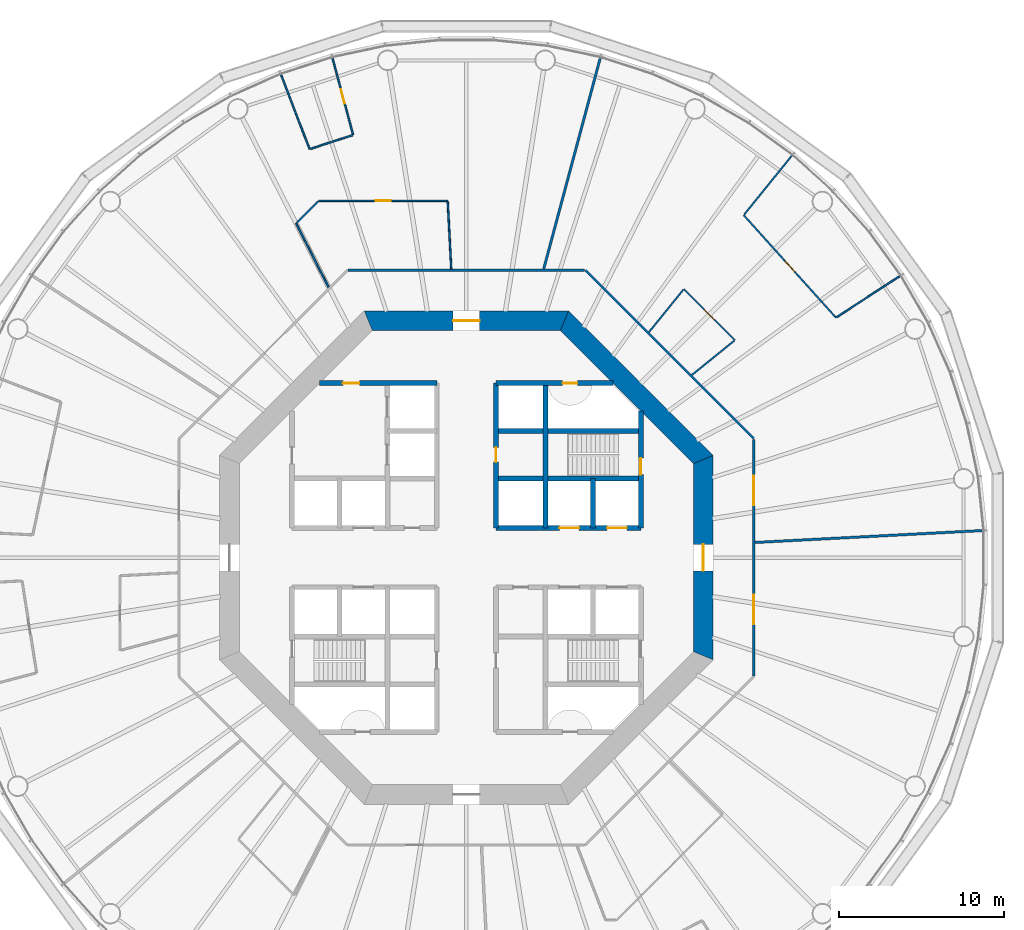
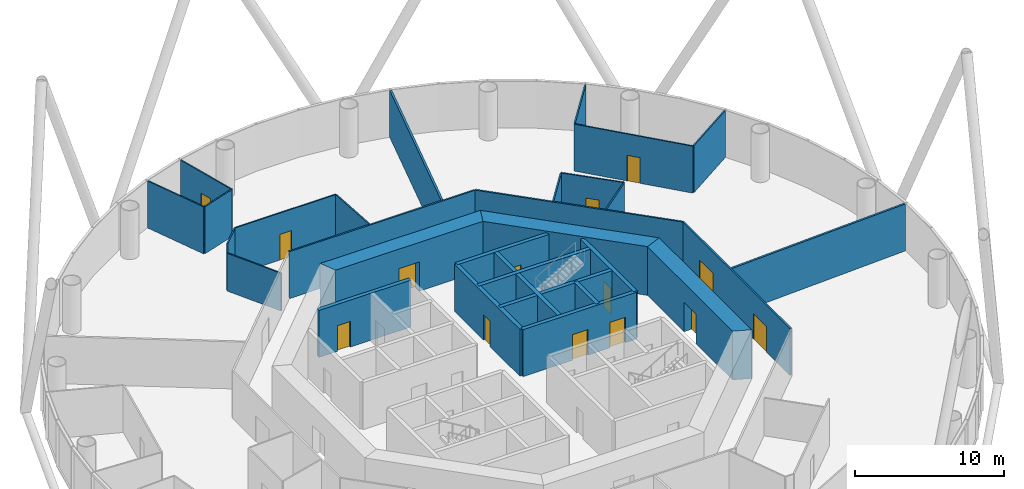
# One storey, part 5 of 13: 30 walls, 14 doors, 14 openings.
"""IFC4 building model written with IfcOpenShell, lengths in metres."""

import ifcopenshell
import ifcopenshell.guid

model = None  # the IFC model being written
_history = None  # IfcOwnerHistory: only IFC2X3 demands one
_inside = {}  # id of a spatial element -> (the spatial element, [elements in it])
_under = {}  # id of a project, library or spatial element -> (it, [spatial elements below it])
_declared = {}  # id of a project -> (the project, [libraries it declares])
_typed = {}  # id of a type object -> (the type object, [elements of that type])
_made_of = {}  # id of a material, layer set ... -> (it, [elements and type objects made of it])


def new_model(schema):
    """Start an empty IFC model of exactly this schema.

    Asked for "IFC4X3", IfcOpenShell would pick the latest addendum, in which some entities
    have other attributes; the version numbers below select the first issue.
    IFC2X3 requires an IfcOwnerHistory on every rooted entity: one is made here for all.
    """
    global model, _history
    if schema == "IFC4X3":
        model = ifcopenshell.file(schema_version=(4, 3, 0, 0))
    else:
        model = ifcopenshell.file(schema=schema)
    _inside.clear()
    _under.clear()
    _declared.clear()
    _typed.clear()
    _made_of.clear()
    _history = None
    if model.schema == "IFC2X3":
        org = make("IfcOrganization", Name="unknown")
        user = make(
            "IfcPersonAndOrganization",
            ThePerson=make("IfcPerson", FamilyName="unknown"),
            TheOrganization=org,
        )
        app = make(
            "IfcApplication",
            ApplicationDeveloper=org,
            Version="unknown",
            ApplicationFullName="unknown",
            ApplicationIdentifier="unknown",
        )
        _history = make(
            "IfcOwnerHistory",
            OwningUser=user,
            OwningApplication=app,
            ChangeAction="ADDED",
            CreationDate=0,
        )
    return model


def make(cls, **values):
    """One entity of the class cls with the attributes given. An attribute that is None is left unset."""
    return model.create_entity(
        cls, **{name: value for name, value in values.items() if value is not None}
    )


def rooted(cls, **values):
    """An entity with a GlobalId (a new one), such as an element, a storey or a relation."""
    return make(cls, GlobalId=ifcopenshell.guid.new(), OwnerHistory=_history, **values)


def si_unit(unit_type, name, prefix=None):
    """IfcSIUnit, for example si_unit("LENGTHUNIT", "METRE", prefix="MILLI")."""
    return make("IfcSIUnit", UnitType=unit_type, Prefix=prefix, Name=name)


def assignment(units):
    """IfcUnitAssignment: the units of a project."""
    return None if units is None else make("IfcUnitAssignment", Units=units)


def point(xyz):
    """IfcCartesianPoint."""
    return None if xyz is None else make("IfcCartesianPoint", Coordinates=xyz)


def direction(xyz):
    """IfcDirection."""
    return None if xyz is None else make("IfcDirection", DirectionRatios=xyz)


def frame(location, z_axis=None, x_axis=None):
    """IfcAxis2Placement3D, a coordinate frame: its origin and axes. An axis left out is left unset."""
    return make(
        "IfcAxis2Placement3D",
        Location=point(location),
        Axis=direction(z_axis),
        RefDirection=direction(x_axis),
    )


def frame_2d(location, x_axis=None):
    """IfcAxis2Placement2D, a coordinate frame in the plane: its origin and x axis."""
    return make(
        "IfcAxis2Placement2D", Location=point(location), RefDirection=direction(x_axis)
    )


def origin():
    """The frame at (0, 0, 0) with its axes left unset."""
    return frame((0.0, 0.0, 0.0))


def place(relative_to, where):
    """IfcLocalPlacement: puts the frame where relative to a parent placement (None: the world)."""
    return make(
        "IfcLocalPlacement", PlacementRelTo=relative_to, RelativePlacement=where
    )


def context(
    kind, dimensions, precision=None, world=None, true_north=None, identifier=None
):
    """IfcGeometricRepresentationContext, for example the 3D "Model" context."""
    return make(
        "IfcGeometricRepresentationContext",
        ContextIdentifier=identifier,
        ContextType=kind,
        CoordinateSpaceDimension=dimensions,
        Precision=precision,
        WorldCoordinateSystem=world,
        TrueNorth=true_north,
    )


def subcontext(parent, identifier, kind, view, scale=None):
    """IfcGeometricRepresentationSubContext, for example "Body" below "Model"."""
    return make(
        "IfcGeometricRepresentationSubContext",
        ContextIdentifier=identifier,
        ContextType=kind,
        ParentContext=parent,
        TargetScale=scale,
        TargetView=view,
    )


def project(units=None, contexts=None):
    """IfcProject with its units and contexts."""
    return rooted(
        "IfcProject",
        Name="project",
        RepresentationContexts=contexts,
        UnitsInContext=assignment(units),
    )


def spatial(cls, under=None, at=None, **own):
    """A site, building, storey or space (cls), placed at a placement, below another one or the project."""
    s = rooted(cls, ObjectPlacement=at, **own)
    if under is not None:
        _under.setdefault(under.id(), (under, []))[1].append(s)
    return s


def polyline(points):
    """IfcPolyline through the points."""
    return make("IfcPolyline", Points=[point(p) for p in points])


def profile(cls, at=None, kind="AREA", **sizes):
    """A parametric profile (cls). Its sizes go by their IFC names, for example OverallWidth=200.0."""
    return make(cls, ProfileType=kind, Position=at, **sizes)


def rectangle(**sizes):
    """IfcRectangleProfileDef."""
    return profile("IfcRectangleProfileDef", **sizes)


def outline(outer, holes=None, kind="AREA"):
    """IfcArbitraryClosedProfileDef: a profile drawn as a closed curve; with holes, ...WithVoids."""
    if holes is None:
        return make("IfcArbitraryClosedProfileDef", ProfileType=kind, OuterCurve=outer)
    return make(
        "IfcArbitraryProfileDefWithVoids",
        ProfileType=kind,
        OuterCurve=outer,
        InnerCurves=holes,
    )


def extrude(swept, where, along, depth):
    """IfcExtrudedAreaSolid: the profile swept, set in the frame where, extruded along a direction by depth."""
    return make(
        "IfcExtrudedAreaSolid",
        SweptArea=swept,
        Position=where,
        ExtrudedDirection=direction(along),
        Depth=depth,
    )


def shape(context_of_items, identifier, shape_type, items):
    """IfcShapeRepresentation: the items that make up one representation, for example the "Body"."""
    return make(
        "IfcShapeRepresentation",
        ContextOfItems=context_of_items,
        RepresentationIdentifier=identifier,
        RepresentationType=shape_type,
        Items=items,
    )


def material(Name=None, Category=None):
    """IfcMaterial."""
    return make("IfcMaterial", Name=Name, Category=Category)


def layer(
    of_material, thickness, ventilated=None, Name=None, Category=None, Priority=None
):
    """IfcMaterialLayer: one layer of a wall or slab, of a material (None: an air gap)."""
    return make(
        "IfcMaterialLayer",
        Material=of_material,
        LayerThickness=thickness,
        IsVentilated=ventilated,
        Name=Name,
        Category=Category,
        Priority=Priority,
    )


def layer_set(layers, Name=None):
    """IfcMaterialLayerSet."""
    return make("IfcMaterialLayerSet", MaterialLayers=layers, LayerSetName=Name)


def made_of(thing, what):
    """Note that an element or type object is made of a material, layer set ...; save() writes the relation."""
    if what is not None:
        _made_of.setdefault(what.id(), (what, []))[1].append(thing)
    return thing


def type_object(cls, material=None, **own):
    """A type object (cls), such as IfcWallType, which elements share."""
    return made_of(rooted(cls, **own), material)


def element(
    cls,
    number,
    at=None,
    inside=None,
    cuts=None,
    type_object=None,
    material=None,
    context=None,
    identifier="Body",
    shape_type=None,
    held_by="IfcProductDefinitionShape",
    body=None,
    shapes=None,
    **own,
):
    """One element of the class cls, such as IfcWall. Its Tag is "e" and its number.

    at: its placement. inside: the storey or other place that contains it. cuts: it is an
    opening in that element (IfcRelVoidsElement). A single representation is given by context,
    identifier, shape_type and body (its items); several are given by shapes. held_by: the class
    of the entity that holds the representations. save() writes the other relations.
    """
    e = rooted(cls, Tag="e%d" % number, ObjectPlacement=at, **own)
    if body is not None:
        shapes = [shape(context, identifier, shape_type, body)]
    if shapes is not None:
        e.Representation = make(held_by, Representations=shapes)
    if inside is not None:
        _inside.setdefault(inside.id(), (inside, []))[1].append(e)
    if cuts is not None:
        rooted(
            "IfcRelVoidsElement", RelatingBuildingElement=cuts, RelatedOpeningElement=e
        )
    if type_object is not None:
        _typed.setdefault(type_object.id(), (type_object, []))[1].append(e)
    return made_of(e, material)


def fill(opening, filler):
    """IfcRelFillsElement: the door or window that sits in an opening."""
    return rooted(
        "IfcRelFillsElement",
        RelatingOpeningElement=opening,
        RelatedBuildingElement=filler,
    )


def aggregate(whole, parts):
    """IfcRelAggregates: a whole, such as a stair, and the parts it consists of."""
    return rooted("IfcRelAggregates", RelatingObject=whole, RelatedObjects=parts)


def save(model, path):
    """Write the relations noted so far, then the file.

    IfcRelAggregates (storeys below a building ...), IfcRelContainedInSpatialStructure (elements
    in a storey), IfcRelDefinesByType, IfcRelAssociatesMaterial and IfcRelDeclares: one each for
    every whole, place, type object, material and project.
    """
    for whole, parts in _under.values():
        aggregate(whole, parts)
    for where, things in _inside.values():
        rooted(
            "IfcRelContainedInSpatialStructure",
            RelatedElements=things,
            RelatingStructure=where,
        )
    for kind, things in _typed.values():
        rooted("IfcRelDefinesByType", RelatedObjects=things, RelatingType=kind)
    for what, things in _made_of.values():
        rooted("IfcRelAssociatesMaterial", RelatedObjects=things, RelatingMaterial=what)
    for by, libraries in _declared.values():
        rooted("IfcRelDeclares", RelatingContext=by, RelatedDefinitions=libraries)
    model.write(path)


model = new_model("IFC4")

# Units and contexts
model_context = context("Model", 3, precision=1e-05, world=origin(), true_north=direction((0.0, 1.0)))
body_context = subcontext(model_context, "Body", "Model", "MODEL_VIEW")
ifc_project = project(units=[si_unit("LENGTHUNIT", "METRE"), si_unit("AREAUNIT", "SQUARE_METRE"), si_unit("VOLUMEUNIT", "CUBIC_METRE"), si_unit("PLANEANGLEUNIT", "RADIAN"), si_unit("MASSUNIT", "GRAM", prefix="KILO")], contexts=[model_context])

# Site, building, storey
site_placement = place(None, origin())
site = spatial("IfcSite", under=ifc_project, at=site_placement, CompositionType="ELEMENT")
building_placement = place(site_placement, origin())
building = spatial("IfcBuilding", under=site, at=building_placement, Name="Entoto Ring Tower", CompositionType="ELEMENT")
storey_placement = place(building_placement, frame((0.0, 0.0, 96.0)))
storey = spatial("IfcBuildingStorey", under=building, at=storey_placement, Name="L21", CompositionType="ELEMENT", Elevation=96.0)

# Wall, opening, door
ifc_material_1 = material(Name="Concrete C40/50", Category="concrete")
ifc_layer_1 = layer(ifc_material_1, 0.300048828125)
ifc_layer_set_1 = layer_set([ifc_layer_1], Name="Concrete C40/50")
wall_type_1 = type_object("IfcWallType", Name="Core enclosure wall 300 mm reinforced concrete", PredefinedType="SOLIDWALL", material=ifc_layer_set_1)
wall_1_placement = place(storey_placement, frame((100.60009765625, 81.800048828125, 0.0), z_axis=(0.0, 0.0, 1.0), x_axis=(0.0, 1.0, 0.0)))
wall_1 = element("IfcWall", 1, at=wall_1_placement, inside=storey, type_object=wall_type_1, Name="wall-L21-002", PredefinedType="SOLIDWALL", context=body_context, shape_type="SweptSolid", body=[
    extrude(rectangle(XDim=7.115966796875, YDim=0.300048828125, at=frame_2d((3.55810546875, 0.0))), origin(), (0.0, 0.0, 1.0), 3.85009765625),
])
opening_1_placement = place(wall_1_placement, frame((3.25, 0.0, 0.0)))
opening_1 = element("IfcOpeningElement", 2, at=opening_1_placement, cuts=wall_1, Name="Opening K-55", PredefinedType="OPENING", context=body_context, shape_type="SweptSolid", body=[
    extrude(rectangle(XDim=1.0, YDim=2.10009765625, at=frame_2d((0.5, 1.050048828125))), frame((0.0, 0.16015625, 0.0), z_axis=(0.0, -1.0, 0.0), x_axis=(1.0, 0.0, 0.0)), (0.0, 0.0, 1.0), 0.320068359375),
])
ifc_material_2 = material(Name="Steel door leaf, fire rated", Category="steel")
ifc_layer_2 = layer(ifc_material_2, 0.050048828125)
ifc_layer_set_2 = layer_set([ifc_layer_2], Name="Steel door leaf, fire rated")
door_type_1 = type_object("IfcDoorType", Name="Fire door FD60 1000 x 2100 single leaf", OperationType="NOTDEFINED", PredefinedType="DOOR", material=ifc_layer_set_2)
door_1_placement = place(opening_1_placement, origin())
door_1 = element("IfcDoor", 3, at=door_1_placement, inside=storey, type_object=door_type_1, Name="Door K-55", OperationType="SINGLE_SWING_LEFT", OverallHeight=2.10009765625, OverallWidth=1.0, PredefinedType="DOOR", context=body_context, shape_type="SweptSolid", body=[
    extrude(rectangle(XDim=1.0, YDim=2.10009765625, at=frame_2d((0.5, 1.050048828125))), frame((0.0, 0.02490234375, 0.0), z_axis=(0.0, -1.0, 0.0), x_axis=(1.0, 0.0, 0.0)), (0.0, 0.0, 1.0), 0.050048828125),
])
fill(opening_1, door_1)

# Walls
wall_2_placement = place(storey_placement, frame((97.699951171875, 81.800048828125, 0.0), z_axis=(0.0, 0.0, 1.0), x_axis=(0.0, 1.0, 0.0)))
element("IfcWall", 4, at=wall_2_placement, inside=storey, type_object=wall_type_1, Name="wall-L21-004", PredefinedType="SOLIDWALL", context=body_context, shape_type="SweptSolid", body=[
    extrude(rectangle(XDim=3.0, YDim=0.300048828125, at=frame_2d((1.5, 0.0))), origin(), (0.0, 0.0, 1.0), 3.85009765625),
])
wall_3_placement = place(storey_placement, frame((94.800048828125, 81.800048828125, 0.0), z_axis=(0.0, 0.0, 1.0), x_axis=(0.0, 1.0, 0.0)))
element("IfcWall", 5, at=wall_3_placement, inside=storey, type_object=wall_type_1, Name="wall-L21-006", PredefinedType="SOLIDWALL", context=body_context, shape_type="SweptSolid", body=[
    extrude(rectangle(XDim=8.800048828125, YDim=0.300048828125, at=frame_2d((4.39990234375, 0.0))), origin(), (0.0, 0.0, 1.0), 3.85009765625),
])

# Wall, opening, door
wall_4_placement = place(storey_placement, frame((91.800048828125, 81.800048828125, 0.0), z_axis=(0.0, 0.0, 1.0), x_axis=(0.0, 1.0, 0.0)))
wall_4 = element("IfcWall", 6, at=wall_4_placement, inside=storey, type_object=wall_type_1, Name="wall-L21-008", PredefinedType="SOLIDWALL", context=body_context, shape_type="SweptSolid", body=[
    extrude(rectangle(XDim=8.800048828125, YDim=0.300048828125, at=frame_2d((4.39990234375, 0.0))), origin(), (0.0, 0.0, 1.0), 3.85009765625),
])
opening_2_placement = place(wall_4_placement, frame((4.0, 0.0, 0.0)))
opening_2 = element("IfcOpeningElement", 7, at=opening_2_placement, cuts=wall_4, Name="Opening K-11", PredefinedType="OPENING", context=body_context, shape_type="SweptSolid", body=[
    extrude(rectangle(XDim=0.89990234375, YDim=2.10009765625, at=frame_2d((0.449951171875, 1.050048828125))), frame((0.0, 0.16015625, 0.0), z_axis=(0.0, -1.0, 0.0), x_axis=(1.0, 0.0, 0.0)), (0.0, 0.0, 1.0), 0.320068359375),
])
ifc_material_3 = material(Name="Steel door leaf, fire rated", Category="steel")
ifc_layer_3 = layer(ifc_material_3, 0.050048828125)
ifc_layer_set_3 = layer_set([ifc_layer_3], Name="Steel door leaf, fire rated")
door_type_2 = type_object("IfcDoorType", Name="Core door 900 x 2100 single leaf", OperationType="NOTDEFINED", PredefinedType="DOOR", material=ifc_layer_set_3)
door_2_placement = place(opening_2_placement, origin())
door_2 = element("IfcDoor", 8, at=door_2_placement, inside=storey, type_object=door_type_2, Name="Door K-11", OperationType="SINGLE_SWING_RIGHT", OverallHeight=2.10009765625, OverallWidth=0.89990234375, PredefinedType="DOOR", context=body_context, shape_type="SweptSolid", body=[
    extrude(rectangle(XDim=0.89990234375, YDim=2.10009765625, at=frame_2d((0.449951171875, 1.050048828125))), frame((0.0, 0.02490234375, 0.0), z_axis=(0.0, -1.0, 0.0), x_axis=(1.0, 0.0, 0.0)), (0.0, 0.0, 1.0), 0.050048828125),
])
fill(opening_2, door_2)

# Wall, openings, doors
wall_5_placement = place(storey_placement, frame((91.800048828125, 81.800048828125, 0.0), z_axis=(0.0, 0.0, 1.0), x_axis=(1.0, 0.0, 0.0)))
wall_5 = element("IfcWall", 9, at=wall_5_placement, inside=storey, type_object=wall_type_1, Name="wall-L21-026", PredefinedType="SOLIDWALL", context=body_context, shape_type="SweptSolid", body=[
    extrude(rectangle(XDim=8.800048828125, YDim=0.300048828125, at=frame_2d((4.39990234375, 0.0))), origin(), (0.0, 0.0, 1.0), 3.85009765625),
])
opening_3_placement = place(wall_5_placement, frame((3.85009765625, 0.0, 0.0)))
opening_3 = element("IfcOpeningElement", 10, at=opening_3_placement, cuts=wall_5, Name="Opening LD", PredefinedType="OPENING", context=body_context, shape_type="SweptSolid", body=[
    extrude(rectangle(XDim=1.199951171875, YDim=2.10009765625, at=frame_2d((0.60009765625, 1.050048828125))), frame((0.0, 0.16015625, 0.0), z_axis=(0.0, -1.0, 0.0), x_axis=(1.0, 0.0, 0.0)), (0.0, 0.0, 1.0), 0.320068359375),
])
opening_4_placement = place(wall_5_placement, frame((6.75, 0.0, 0.0)))
opening_4 = element("IfcOpeningElement", 11, at=opening_4_placement, cuts=wall_5, Name="Opening LD", PredefinedType="OPENING", context=body_context, shape_type="SweptSolid", body=[
    extrude(rectangle(XDim=1.199951171875, YDim=2.10009765625, at=frame_2d((0.60009765625, 1.050048828125))), frame((0.0, 0.16015625, 0.0), z_axis=(0.0, -1.0, 0.0), x_axis=(1.0, 0.0, 0.0)), (0.0, 0.0, 1.0), 0.320068359375),
])
ifc_material_4 = material(Name="Steel and glass door leaf", Category="steel")
ifc_layer_4 = layer(ifc_material_4, 0.050048828125)
ifc_layer_set_4 = layer_set([ifc_layer_4], Name="Steel and glass door leaf")
door_type_3 = type_object("IfcDoorType", Name="Landing door 1200 x 2100 sliding", OperationType="DOUBLE_DOOR_SLIDING", PredefinedType="DOOR", material=ifc_layer_set_4)
door_3_placement = place(opening_3_placement, origin())
door_3 = element("IfcDoor", 12, at=door_3_placement, inside=storey, type_object=door_type_3, Name="Landing door LB1-LR", OperationType="SLIDING_TO_RIGHT", OverallHeight=2.10009765625, OverallWidth=1.199951171875, PredefinedType="DOOR", context=body_context, shape_type="SweptSolid", body=[
    extrude(rectangle(XDim=1.199951171875, YDim=2.10009765625, at=frame_2d((0.60009765625, 1.050048828125))), frame((0.0, 0.02490234375, 0.0), z_axis=(0.0, -1.0, 0.0), x_axis=(1.0, 0.0, 0.0)), (0.0, 0.0, 1.0), 0.050048828125),
])
fill(opening_3, door_3)
door_4_placement = place(opening_4_placement, origin())
door_4 = element("IfcDoor", 13, at=door_4_placement, inside=storey, type_object=door_type_3, Name="Landing door LB2-LR", OperationType="SLIDING_TO_RIGHT", OverallHeight=2.10009765625, OverallWidth=1.199951171875, PredefinedType="DOOR", context=body_context, shape_type="SweptSolid", body=[
    extrude(rectangle(XDim=1.199951171875, YDim=2.10009765625, at=frame_2d((0.60009765625, 1.050048828125))), frame((0.0, 0.02490234375, 0.0), z_axis=(0.0, -1.0, 0.0), x_axis=(1.0, 0.0, 0.0)), (0.0, 0.0, 1.0), 0.050048828125),
])
fill(opening_4, door_4)

# Walls
for number, where, z_axis, x_axis, name in (
    (14, (91.800048828125, 84.800048828125, 0.0), (0.0, 0.0, 1.0), (1.0, 0.0, 0.0), "wall-L21-028"),
    (15, (91.800048828125, 87.699951171875, 0.0), (0.0, 0.0, 1.0), (1.0, 0.0, 0.0), "wall-L21-030"),
):
    element("IfcWall", number, at=place(storey_placement, frame(where, z_axis=z_axis, x_axis=x_axis)), inside=storey, type_object=wall_type_1, Name=name, PredefinedType="SOLIDWALL", context=body_context, shape_type="SweptSolid", body=[
        extrude(rectangle(XDim=8.800048828125, YDim=0.300048828125, at=frame_2d((4.39990234375, 0.0))), origin(), (0.0, 0.0, 1.0), 3.85009765625),
    ])

# Wall, opening, door
wall_6_placement = place(storey_placement, frame((81.083984375, 90.60009765625, 0.0), z_axis=(0.0, 0.0, 1.0), x_axis=(1.0, 0.0, 0.0)))
wall_6 = element("IfcWall", 16, at=wall_6_placement, inside=storey, type_object=wall_type_1, Name="wall-L21-031", PredefinedType="SOLIDWALL", context=body_context, shape_type="SweptSolid", body=[
    extrude(rectangle(XDim=7.115966796875, YDim=0.300048828125, at=frame_2d((3.55810546875, 0.0))), origin(), (0.0, 0.0, 1.0), 3.85009765625),
])
opening_5_placement = place(wall_6_placement, frame((1.416015625, 0.0, 0.0)))
opening_5 = element("IfcOpeningElement", 17, at=opening_5_placement, cuts=wall_6, Name="Opening K-23", PredefinedType="OPENING", context=body_context, shape_type="SweptSolid", body=[
    extrude(rectangle(XDim=1.0, YDim=2.10009765625, at=frame_2d((0.5, 1.050048828125))), frame((0.0, 0.16015625, 0.0), z_axis=(0.0, -1.0, 0.0), x_axis=(1.0, 0.0, 0.0)), (0.0, 0.0, 1.0), 0.320068359375),
])
door_5_placement = place(opening_5_placement, frame((1.0, 0.0, 0.0), z_axis=(0.0, 0.0, 1.0), x_axis=(-1.0, 0.0, 0.0)))
door_5 = element("IfcDoor", 18, at=door_5_placement, inside=storey, type_object=door_type_1, Name="Door K-23", OperationType="SINGLE_SWING_RIGHT", OverallHeight=2.10009765625, OverallWidth=1.0, PredefinedType="DOOR", context=body_context, shape_type="SweptSolid", body=[
    extrude(rectangle(XDim=1.0, YDim=2.10009765625, at=frame_2d((0.5, 1.050048828125))), frame((0.0, 0.02490234375, 0.0), z_axis=(0.0, -1.0, 0.0), x_axis=(1.0, 0.0, 0.0)), (0.0, 0.0, 1.0), 0.050048828125),
])
fill(opening_5, door_5)

wall_7_placement = place(storey_placement, frame((91.800048828125, 90.60009765625, 0.0), z_axis=(0.0, 0.0, 1.0), x_axis=(1.0, 0.0, 0.0)))
wall_7 = element("IfcWall", 19, at=wall_7_placement, inside=storey, type_object=wall_type_1, Name="wall-L21-032", PredefinedType="SOLIDWALL", context=body_context, shape_type="SweptSolid", body=[
    extrude(rectangle(XDim=7.115966796875, YDim=0.300048828125, at=frame_2d((3.55810546875, 0.0))), origin(), (0.0, 0.0, 1.0), 3.85009765625),
])
opening_6_placement = place(wall_7_placement, frame((4.050048828125, 0.0, 0.0)))
opening_6 = element("IfcOpeningElement", 20, at=opening_6_placement, cuts=wall_7, Name="Opening K-62", PredefinedType="OPENING", context=body_context, shape_type="SweptSolid", body=[
    extrude(rectangle(XDim=0.89990234375, YDim=2.10009765625, at=frame_2d((0.449951171875, 1.050048828125))), frame((0.0, 0.16015625, 0.0), z_axis=(0.0, -1.0, 0.0), x_axis=(1.0, 0.0, 0.0)), (0.0, 0.0, 1.0), 0.320068359375),
])
ifc_material_5 = material(Name="Steel door leaf, fire rated", Category="steel")
ifc_layer_5 = layer(ifc_material_5, 0.050048828125)
ifc_layer_set_5 = layer_set([ifc_layer_5], Name="Steel door leaf, fire rated")
door_type_4 = type_object("IfcDoorType", Name="Riser door FD60 900 x 2100 single leaf", OperationType="NOTDEFINED", PredefinedType="DOOR", material=ifc_layer_set_5)
door_6_placement = place(opening_6_placement, frame((0.89990234375, 0.0, 0.0), z_axis=(0.0, 0.0, 1.0), x_axis=(-1.0, 0.0, 0.0)))
door_6 = element("IfcDoor", 21, at=door_6_placement, inside=storey, type_object=door_type_4, Name="Door K-62", OperationType="SINGLE_SWING_LEFT", OverallHeight=2.10009765625, OverallWidth=0.89990234375, PredefinedType="DOOR", context=body_context, shape_type="SweptSolid", body=[
    extrude(rectangle(XDim=0.89990234375, YDim=2.10009765625, at=frame_2d((0.449951171875, 1.050048828125))), frame((0.0, 0.02490234375, 0.0), z_axis=(0.0, -1.0, 0.0), x_axis=(1.0, 0.0, 0.0)), (0.0, 0.0, 1.0), 0.050048828125),
])
fill(opening_6, door_6)

ifc_material_6 = material(Name="Concrete C60/75", Category="concrete")
ifc_layer_6 = layer(ifc_material_6, 1.199951171875)
ifc_layer_set_6 = layer_set([ifc_layer_6], Name="Concrete C60/75")
wall_type_2 = type_object("IfcWallType", Name="Core shear wall 1200 mm reinforced concrete C60/75", PredefinedType="SHEAR", material=ifc_layer_set_6)
wall_8_placement = place(storey_placement, frame((104.39990234375, 74.035400390625, 0.0), z_axis=(0.0, 0.0, 1.0), x_axis=(0.0, 1.0, 0.0)))
wall_8 = element("IfcWall", 22, at=wall_8_placement, inside=storey, type_object=wall_type_2, Name="wall-L21-core-0", PredefinedType="SHEAR", context=body_context, shape_type="SweptSolid", body=[
    extrude(outline(polyline([(-0.24853515625, -0.60009765625), (12.177734375, -0.60009765625), (11.6806640625, 0.60009765625), (0.24853515625, 0.60009765625), (-0.24853515625, -0.60009765625)])), origin(), (0.0, 0.0, 1.0), 4.0),
])
opening_7_placement = place(wall_8_placement, frame((5.164794921875, 0.0, 0.0)))
opening_7 = element("IfcOpeningElement", 23, at=opening_7_placement, cuts=wall_8, Name="Opening K-01", PredefinedType="OPENING", context=body_context, shape_type="SweptSolid", body=[
    extrude(rectangle(XDim=1.60009765625, YDim=2.39990234375, at=frame_2d((0.800048828125, 1.199951171875))), frame((0.0, 0.60986328125, 0.0), z_axis=(0.0, -1.0, 0.0), x_axis=(1.0, 0.0, 0.0)), (0.0, 0.0, 1.0), 1.219970703125),
])
ifc_material_7 = material(Name="Steel door leaf, fire rated", Category="steel")
ifc_layer_7 = layer(ifc_material_7, 0.050048828125)
ifc_layer_set_7 = layer_set([ifc_layer_7], Name="Steel door leaf, fire rated")
door_type_5 = type_object("IfcDoorType", Name="Entrance door FD60 1600 x 2400 double leaf", OperationType="DOUBLE_DOOR_SINGLE_SWING", PredefinedType="DOOR", material=ifc_layer_set_7)
door_7_placement = place(opening_7_placement, origin())
door_7 = element("IfcDoor", 24, at=door_7_placement, inside=storey, type_object=door_type_5, Name="Entrance door K-01", OperationType="DOUBLE_DOOR_SINGLE_SWING", OverallHeight=2.39990234375, OverallWidth=1.60009765625, PredefinedType="DOOR", context=body_context, shape_type="SweptSolid", body=[
    extrude(rectangle(XDim=1.60009765625, YDim=2.39990234375, at=frame_2d((0.800048828125, 1.199951171875))), frame((0.0, 0.02490234375, 0.0), z_axis=(0.0, -1.0, 0.0), x_axis=(1.0, 0.0, 0.0)), (0.0, 0.0, 1.0), 0.050048828125),
])
fill(opening_7, door_7)

# Wall
wall_9_placement = place(storey_placement, frame((104.39990234375, 85.964599609375, 0.0), z_axis=(0.0, 0.0, 1.0), x_axis=(-0.707106781187, 0.707106781187, 0.0)))
element("IfcWall", 25, at=wall_9_placement, inside=storey, type_object=wall_type_2, Name="wall-L21-core-1", PredefinedType="SHEAR", context=body_context, shape_type="SweptSolid", body=[
    extrude(outline(polyline([(-0.24853515625, -0.60009765625), (12.177734375, -0.60009765625), (11.6806640625, 0.60009765625), (0.24853515625, 0.60009765625), (-0.24853515625, -0.60009765625)])), origin(), (0.0, 0.0, 1.0), 4.0),
])

# Wall, opening, door
wall_10_placement = place(storey_placement, frame((95.964599609375, 94.39990234375, 0.0), z_axis=(0.0, 0.0, 1.0), x_axis=(-1.0, 0.0, 0.0)))
wall_10 = element("IfcWall", 26, at=wall_10_placement, inside=storey, type_object=wall_type_2, Name="wall-L21-core-2", PredefinedType="SHEAR", context=body_context, shape_type="SweptSolid", body=[
    extrude(outline(polyline([(-0.24853515625, -0.60009765625), (12.177734375, -0.60009765625), (11.6806640625, 0.60009765625), (0.24853515625, 0.60009765625), (-0.24853515625, -0.60009765625)])), origin(), (0.0, 0.0, 1.0), 4.0),
])
opening_8_placement = place(wall_10_placement, frame((5.164794921875, 0.0, 0.0)))
opening_8 = element("IfcOpeningElement", 27, at=opening_8_placement, cuts=wall_10, Name="Opening K-02", PredefinedType="OPENING", context=body_context, shape_type="SweptSolid", body=[
    extrude(rectangle(XDim=1.60009765625, YDim=2.39990234375, at=frame_2d((0.800048828125, 1.199951171875))), frame((0.0, 0.60986328125, 0.0), z_axis=(0.0, -1.0, 0.0), x_axis=(1.0, 0.0, 0.0)), (0.0, 0.0, 1.0), 1.219970703125),
])
door_8_placement = place(opening_8_placement, origin())
door_8 = element("IfcDoor", 28, at=door_8_placement, inside=storey, type_object=door_type_5, Name="Entrance door K-02", OperationType="DOUBLE_DOOR_SINGLE_SWING", OverallHeight=2.39990234375, OverallWidth=1.60009765625, PredefinedType="DOOR", context=body_context, shape_type="SweptSolid", body=[
    extrude(rectangle(XDim=1.60009765625, YDim=2.39990234375, at=frame_2d((0.800048828125, 1.199951171875))), frame((0.0, 0.02490234375, 0.0), z_axis=(0.0, -1.0, 0.0), x_axis=(1.0, 0.0, 0.0)), (0.0, 0.0, 1.0), 0.050048828125),
])
fill(opening_8, door_8)

# Walls
ifc_material_8 = material(Name="Fire-resisting plasterboard on steel studs", Category="steel")
ifc_layer_8 = layer(ifc_material_8, 0.125)
ifc_layer_set_8 = layer_set([ifc_layer_8], Name="Fire-resisting plasterboard on steel studs")
wall_type_3 = type_object("IfcWallType", Name="Corridor wall 125 mm one-hour plasterboard on steel studs", PredefinedType="PARTITIONING", material=ifc_layer_set_8)
wall_11_placement = place(storey_placement, frame((107.46240234375, 87.233154296875, 0.0), z_axis=(0.0, 0.0, 1.0), x_axis=(-0.707106781187, 0.707106781187, 0.0)))
element("IfcWall", 29, at=wall_11_placement, inside=storey, type_object=wall_type_3, Name="partition-L21-004", PredefinedType="PARTITIONING", context=body_context, shape_type="SweptSolid", body=[
    extrude(rectangle(XDim=14.46630859375, YDim=0.125, at=frame_2d((7.233154296875, 0.0))), origin(), (0.0, 0.0, 1.0), 3.85009765625),
])
wall_12_placement = place(storey_placement, frame((82.810791015625, 97.46240234375, 0.0), z_axis=(0.0, 0.0, 1.0), x_axis=(1.0, 0.0, 0.0)))
element("IfcWall", 30, at=wall_12_placement, inside=storey, type_object=wall_type_3, Name="partition-L21-007", PredefinedType="PARTITIONING", context=body_context, shape_type="SweptSolid", body=[
    extrude(rectangle(XDim=14.37841796875, YDim=0.125, at=frame_2d((7.189208984375, 0.0))), origin(), (0.0, 0.0, 1.0), 3.85009765625),
])

# Wall, openings, doors
wall_13_placement = place(storey_placement, frame((107.46240234375, 72.810791015625, 0.0), z_axis=(0.0, 0.0, 1.0), x_axis=(0.0, 1.0, 0.0)))
wall_13 = element("IfcWall", 31, at=wall_13_placement, inside=storey, type_object=wall_type_3, Name="partition-L21-008", PredefinedType="PARTITIONING", context=body_context, shape_type="SweptSolid", body=[
    extrude(rectangle(XDim=14.37841796875, YDim=0.125, at=frame_2d((7.189208984375, 0.0))), origin(), (0.0, 0.0, 1.0), 3.85009765625),
])
opening_9_placement = place(wall_13_placement, frame((3.13037109375, 0.0, 0.0)))
opening_9 = element("IfcOpeningElement", 32, at=opening_9_placement, cuts=wall_13, Name="Opening A09-D01", PredefinedType="OPENING", context=body_context, shape_type="SweptSolid", body=[
    extrude(rectangle(XDim=1.800048828125, YDim=2.10009765625, at=frame_2d((0.89990234375, 1.050048828125))), frame((0.0, 0.072509765625, 0.0), z_axis=(0.0, -1.0, 0.0), x_axis=(1.0, 0.0, 0.0)), (0.0, 0.0, 1.0), 0.14501953125),
])
opening_10_placement = place(wall_13_placement, frame((10.36328125, 0.0, 0.0)))
opening_10 = element("IfcOpeningElement", 33, at=opening_10_placement, cuts=wall_13, Name="Opening A09-D04", PredefinedType="OPENING", context=body_context, shape_type="SweptSolid", body=[
    extrude(rectangle(XDim=1.800048828125, YDim=2.10009765625, at=frame_2d((0.89990234375, 1.050048828125))), frame((0.0, 0.072509765625, 0.0), z_axis=(0.0, -1.0, 0.0), x_axis=(1.0, 0.0, 0.0)), (0.0, 0.0, 1.0), 0.14501953125),
])
ifc_material_9 = material(Name="Fire-resisting timber door set", Category="wood")
door_type_6 = type_object("IfcDoorType", Name="Door 1800 x 2100 double leaf FD30S fire door", OperationType="DOUBLE_DOOR_SINGLE_SWING", PredefinedType="DOOR", material=ifc_material_9)
door_9_placement = place(opening_9_placement, frame((1.800048828125, 0.0, 0.0), z_axis=(0.0, 0.0, 1.0), x_axis=(-1.0, 0.0, 0.0)))
door_9 = element("IfcDoor", 34, at=door_9_placement, inside=storey, type_object=door_type_6, Name="Door A09-D01", OperationType="DOUBLE_DOOR_SINGLE_SWING", OverallHeight=2.10009765625, OverallWidth=1.800048828125, PredefinedType="DOOR", context=body_context, shape_type="SweptSolid", body=[
    extrude(rectangle(XDim=1.800048828125, YDim=2.10009765625, at=frame_2d((0.89990234375, 1.050048828125))), frame((0.0, 0.02490234375, 0.0), z_axis=(0.0, -1.0, 0.0), x_axis=(1.0, 0.0, 0.0)), (0.0, 0.0, 1.0), 0.050048828125),
])
fill(opening_9, door_9)
door_10_placement = place(opening_10_placement, frame((1.800048828125, 0.0, 0.0), z_axis=(0.0, 0.0, 1.0), x_axis=(-1.0, 0.0, 0.0)))
door_10 = element("IfcDoor", 35, at=door_10_placement, inside=storey, type_object=door_type_6, Name="Door A09-D04", OperationType="DOUBLE_DOOR_SINGLE_SWING", OverallHeight=2.10009765625, OverallWidth=1.800048828125, PredefinedType="DOOR", context=body_context, shape_type="SweptSolid", body=[
    extrude(rectangle(XDim=1.800048828125, YDim=2.10009765625, at=frame_2d((0.89990234375, 1.050048828125))), frame((0.0, 0.02490234375, 0.0), z_axis=(0.0, -1.0, 0.0), x_axis=(1.0, 0.0, 0.0)), (0.0, 0.0, 1.0), 0.050048828125),
])
fill(opening_10, door_10)

# Wall, opening, door
ifc_material_10 = material(Name="Plasterboard on steel studs", Category="steel")
ifc_layer_9 = layer(ifc_material_10, 0.10009765625)
ifc_layer_set_9 = layer_set([ifc_layer_9], Name="Plasterboard on steel studs")
wall_type_4 = type_object("IfcWallType", Name="Partition 100 mm plasterboard on steel studs", PredefinedType="PARTITIONING", material=ifc_layer_set_9)
wall_14_placement = place(storey_placement, frame((112.459716796875, 94.58544921875, 0.0), z_axis=(0.0, 0.0, 1.0), x_axis=(-0.669132139193, 0.743143445305, 0.0)))
wall_14 = element("IfcWall", 36, at=wall_14_placement, inside=storey, type_object=wall_type_4, Name="partition-L21-015", PredefinedType="PARTITIONING", context=body_context, shape_type="SweptSolid", body=[
    extrude(rectangle(XDim=8.378662109375, YDim=0.10009765625, at=frame_2d((4.189453125, 0.0))), origin(), (0.0, 0.0, 1.0), 3.85009765625),
])
opening_11_placement = place(wall_14_placement, frame((3.7392578125, 0.0, 0.0)))
opening_11 = element("IfcOpeningElement", 37, at=opening_11_placement, cuts=wall_14, Name="Opening A09-D06", PredefinedType="OPENING", context=body_context, shape_type="SweptSolid", body=[
    extrude(rectangle(XDim=0.89990234375, YDim=2.10009765625, at=frame_2d((0.449951171875, 1.050048828125))), frame((0.0, 0.06005859375, 0.0), z_axis=(0.0, -1.0, 0.0), x_axis=(1.0, 0.0, 0.0)), (0.0, 0.0, 1.0), 0.1201171875),
])
ifc_material_11 = material(Name="Veneered timber door leaf in timber frame", Category="wood")
door_type_7 = type_object("IfcDoorType", Name="Door 900 x 2100 single leaf timber veneer", OperationType="NOTDEFINED", PredefinedType="DOOR", material=ifc_material_11)
door_11_placement = place(opening_11_placement, frame((0.89990234375, 0.0, 0.0), z_axis=(0.0, 0.0, 1.0), x_axis=(-1.0, 0.0, 0.0)))
door_11 = element("IfcDoor", 38, at=door_11_placement, inside=storey, type_object=door_type_7, Name="Door A09-D06", OperationType="SINGLE_SWING_RIGHT", OverallHeight=2.10009765625, OverallWidth=0.89990234375, PredefinedType="DOOR", context=body_context, shape_type="SweptSolid", body=[
    extrude(rectangle(XDim=0.89990234375, YDim=2.10009765625, at=frame_2d((0.449951171875, 1.050048828125))), frame((0.0, 0.02490234375, 0.0), z_axis=(0.0, -1.0, 0.0), x_axis=(1.0, 0.0, 0.0)), (0.0, 0.0, 1.0), 0.050048828125),
])
fill(opening_11, door_11)

wall_15_placement = place(storey_placement, frame((81.018798828125, 101.6826171875, 0.0), z_axis=(0.0, 0.0, 1.0), x_axis=(1.0, 0.0, 0.0)))
wall_15 = element("IfcWall", 39, at=wall_15_placement, inside=storey, type_object=wall_type_4, Name="partition-L21-017", PredefinedType="PARTITIONING", context=body_context, shape_type="SweptSolid", body=[
    extrude(rectangle(XDim=7.844970703125, YDim=0.10009765625, at=frame_2d((3.92236328125, 0.0))), origin(), (0.0, 0.0, 1.0), 3.85009765625),
])
opening_12_placement = place(wall_15_placement, frame((3.472412109375, 0.0, 0.0)))
opening_12 = element("IfcOpeningElement", 40, at=opening_12_placement, cuts=wall_15, Name="Opening A09-D08", PredefinedType="OPENING", context=body_context, shape_type="SweptSolid", body=[
    extrude(rectangle(XDim=0.89990234375, YDim=2.10009765625, at=frame_2d((0.449951171875, 1.050048828125))), frame((0.0, 0.06005859375, 0.0), z_axis=(0.0, -1.0, 0.0), x_axis=(1.0, 0.0, 0.0)), (0.0, 0.0, 1.0), 0.1201171875),
])
door_12_placement = place(opening_12_placement, frame((0.89990234375, 0.0, 0.0), z_axis=(0.0, 0.0, 1.0), x_axis=(-1.0, 0.0, 0.0)))
door_12 = element("IfcDoor", 41, at=door_12_placement, inside=storey, type_object=door_type_7, Name="Door A09-D08", OperationType="SINGLE_SWING_LEFT", OverallHeight=2.10009765625, OverallWidth=0.89990234375, PredefinedType="DOOR", context=body_context, shape_type="SweptSolid", body=[
    extrude(rectangle(XDim=0.89990234375, YDim=2.10009765625, at=frame_2d((0.449951171875, 1.050048828125))), frame((0.0, 0.02490234375, 0.0), z_axis=(0.0, -1.0, 0.0), x_axis=(1.0, 0.0, 0.0)), (0.0, 0.0, 1.0), 0.050048828125),
])
fill(opening_12, door_12)

wall_16_placement = place(storey_placement, frame((83.117919921875, 105.68408203125, 0.0), z_axis=(0.0, 0.0, 1.0), x_axis=(-0.258799830155, 0.965930974714, 0.0)))
wall_16 = element("IfcWall", 42, at=wall_16_placement, inside=storey, type_object=wall_type_4, Name="partition-L21-025", PredefinedType="PARTITIONING", context=body_context, shape_type="SweptSolid", body=[
    extrude(rectangle(XDim=4.849853515625, YDim=0.10009765625, at=frame_2d((2.4248046875, 0.0))), origin(), (0.0, 0.0, 1.0), 3.85009765625),
])
opening_13_placement = place(wall_16_placement, frame((1.97509765625, 0.0, 0.0)))
opening_13 = element("IfcOpeningElement", 43, at=opening_13_placement, cuts=wall_16, Name="Opening A09-D09", PredefinedType="OPENING", context=body_context, shape_type="SweptSolid", body=[
    extrude(rectangle(XDim=0.89990234375, YDim=2.10009765625, at=frame_2d((0.449951171875, 1.050048828125))), frame((0.0, 0.06005859375, 0.0), z_axis=(0.0, -1.0, 0.0), x_axis=(1.0, 0.0, 0.0)), (0.0, 0.0, 1.0), 0.1201171875),
])
door_13_placement = place(opening_13_placement, origin())
door_13 = element("IfcDoor", 44, at=door_13_placement, inside=storey, type_object=door_type_7, Name="Door A09-D09", OperationType="SINGLE_SWING_RIGHT", OverallHeight=2.10009765625, OverallWidth=0.89990234375, PredefinedType="DOOR", context=body_context, shape_type="SweptSolid", body=[
    extrude(rectangle(XDim=0.89990234375, YDim=2.10009765625, at=frame_2d((0.449951171875, 1.050048828125))), frame((0.0, 0.02490234375, 0.0), z_axis=(0.0, -1.0, 0.0), x_axis=(1.0, 0.0, 0.0)), (0.0, 0.0, 1.0), 0.050048828125),
])
fill(opening_13, door_13)

# Walls
wall_17_placement = place(storey_placement, frame((80.470947265625, 104.823974609375, 0.0), z_axis=(0.0, 0.0, 1.0), x_axis=(-0.35836170217, 0.933582824616, 0.0)))
element("IfcWall", 45, at=wall_17_placement, inside=storey, type_object=wall_type_4, Name="partition-L21-026", PredefinedType="PARTITIONING", context=body_context, shape_type="SweptSolid", body=[
    extrude(rectangle(XDim=4.849853515625, YDim=0.10009765625, at=frame_2d((2.4248046875, 0.0))), origin(), (0.0, 0.0, 1.0), 3.85009765625),
])
for number, where, z_axis, x_axis, name in (
    (46, (112.5009765625, 94.6123046875, 0.0), (0.0, 0.0, 1.0), (0.838669766631, 0.544640268929, 0.0), "partition-L21-029"),
    (47, (106.88427734375, 100.850341796875, 0.0), (0.0, 0.0, 1.0), (0.629313986942, 0.777151147358, 0.0), "partition-L21-031"),
):
    element("IfcWall", number, at=place(storey_placement, frame(where, z_axis=z_axis, x_axis=x_axis)), inside=storey, type_object=wall_type_4, Name=name, PredefinedType="PARTITIONING", context=body_context, shape_type="SweptSolid", body=[
        extrude(rectangle(XDim=4.61083984375, YDim=0.10009765625, at=frame_2d((2.305419921875, 0.0))), origin(), (0.0, 0.0, 1.0), 3.85009765625),
    ])

# Wall, opening, door
wall_18_placement = place(storey_placement, frame((106.318115234375, 93.214111328125, 0.0), z_axis=(0.0, 0.0, 1.0), x_axis=(-0.707106781187, 0.707106781187, 0.0)))
wall_18 = element("IfcWall", 48, at=wall_18_placement, inside=storey, type_object=wall_type_4, Name="partition-L21-039", PredefinedType="PARTITIONING", context=body_context, shape_type="SweptSolid", body=[
    extrude(rectangle(XDim=4.3896484375, YDim=0.10009765625, at=frame_2d((2.19482421875, 0.0))), origin(), (0.0, 0.0, 1.0), 3.85009765625),
])
opening_14_placement = place(wall_18_placement, frame((1.744873046875, 0.0, 0.0)))
opening_14 = element("IfcOpeningElement", 49, at=opening_14_placement, cuts=wall_18, Name="Opening A09-D05", PredefinedType="OPENING", context=body_context, shape_type="SweptSolid", body=[
    extrude(rectangle(XDim=0.89990234375, YDim=2.10009765625, at=frame_2d((0.449951171875, 1.050048828125))), frame((0.0, 0.06005859375, 0.0), z_axis=(0.0, -1.0, 0.0), x_axis=(1.0, 0.0, 0.0)), (0.0, 0.0, 1.0), 0.1201171875),
])
door_14_placement = place(opening_14_placement, origin())
door_14 = element("IfcDoor", 50, at=door_14_placement, inside=storey, type_object=door_type_7, Name="Door A09-D05", OperationType="SINGLE_SWING_RIGHT", OverallHeight=2.10009765625, OverallWidth=0.89990234375, PredefinedType="DOOR", context=body_context, shape_type="SweptSolid", body=[
    extrude(rectangle(XDim=0.89990234375, YDim=2.10009765625, at=frame_2d((0.449951171875, 1.050048828125))), frame((0.0, 0.02490234375, 0.0), z_axis=(0.0, -1.0, 0.0), x_axis=(1.0, 0.0, 0.0)), (0.0, 0.0, 1.0), 0.050048828125),
])
fill(opening_14, door_14)

# Walls
wall_19_placement = place(storey_placement, frame((89.081298828125, 97.527587890625, 0.0), z_axis=(0.0, 0.0, 1.0), x_axis=(-0.052325034159, 0.998630107097, 0.0)))
element("IfcWall", 51, at=wall_19_placement, inside=storey, type_object=wall_type_4, Name="partition-L21-040", PredefinedType="PARTITIONING", context=body_context, shape_type="SweptSolid", body=[
    extrude(rectangle(XDim=4.110595703125, YDim=0.10009765625, at=frame_2d((2.05517578125, 0.0))), origin(), (0.0, 0.0, 1.0), 3.85009765625),
])
for number, where, z_axis, x_axis, name in (
    (52, (101.093017578125, 93.698486328125, 0.0), (0.0, 0.0, 1.0), (0.629291439801, 0.777169404823, 0.0), "partition-L21-043"),
    (53, (103.698486328125, 91.093017578125, 0.0), (0.0, 0.0, 1.0), (0.777169404823, 0.629291439801, 0.0), "partition-L21-044"),
):
    element("IfcWall", number, at=place(storey_placement, frame(where, z_axis=z_axis, x_axis=x_axis)), inside=storey, type_object=wall_type_4, Name=name, PredefinedType="PARTITIONING", context=body_context, shape_type="SweptSolid", body=[
        extrude(rectangle(XDim=3.315185546875, YDim=0.10009765625, at=frame_2d((1.65771484375, 0.0))), origin(), (0.0, 0.0, 1.0), 3.85009765625),
    ])
wall_20_placement = place(storey_placement, frame((80.5185546875, 104.83935546875, 0.0), z_axis=(0.0, 0.0, 1.0), x_axis=(0.951066826239, 0.30898526183, 0.0)))
element("IfcWall", 54, at=wall_20_placement, inside=storey, type_object=wall_type_4, Name="partition-L21-046", PredefinedType="PARTITIONING", context=body_context, shape_type="SweptSolid", body=[
    extrude(rectangle(XDim=2.683349609375, YDim=0.10009765625, at=frame_2d((1.341796875, 0.0))), origin(), (0.0, 0.0, 1.0), 3.85009765625),
])
wall_21_placement = place(storey_placement, frame((79.683349609375, 100.346923828125, 0.0), z_axis=(0.0, 0.0, 1.0), x_axis=(0.707040921104, 0.707172635135, 0.0)))
element("IfcWall", 55, at=wall_21_placement, inside=storey, type_object=wall_type_4, Name="partition-L21-047", PredefinedType="PARTITIONING", context=body_context, shape_type="SweptSolid", body=[
    extrude(rectangle(XDim=1.853515625, YDim=0.10009765625, at=frame_2d((0.9267578125, 0.0))), origin(), (0.0, 0.0, 1.0), 3.85009765625),
])
ifc_material_12 = material(Name="Plasterboard on steel studs", Category="steel")
ifc_layer_10 = layer(ifc_material_12, 0.10009765625)
ifc_layer_set_10 = layer_set([ifc_layer_10], Name="Plasterboard on steel studs")
wall_type_5 = type_object("IfcWallType", Name="Partition 100 mm plasterboard on steel studs, 3097 mm high", PredefinedType="PARTITIONING", material=ifc_layer_set_10)
wall_22_placement = place(storey_placement, frame((81.627197265625, 96.432861328125, 0.0), z_axis=(0.0, 0.0, 1.0), x_axis=(-0.453994637558, 0.891004415852, 0.0)))
element("IfcWall", 56, at=wall_22_placement, inside=storey, type_object=wall_type_5, Name="partition-L21-036", PredefinedType="PARTITIONING", context=body_context, shape_type="SweptSolid", body=[
    extrude(rectangle(XDim=4.355224609375, YDim=0.10009765625, at=frame_2d((2.177734375, 0.0))), origin(), (0.0, 0.0, 1.0), 3.096923828125),
])
ifc_material_13 = material(Name="Fire-resisting acoustic plasterboard on steel studs", Category="steel")
ifc_layer_11 = layer(ifc_material_13, 0.14990234375)
ifc_layer_set_11 = layer_set([ifc_layer_11], Name="Fire-resisting acoustic plasterboard on steel studs")
wall_type_6 = type_object("IfcWallType", Name="Party wall 150 mm one-hour acoustic plasterboard on steel studs", PredefinedType="PARTITIONING", material=ifc_layer_set_11)
wall_23_placement = place(storey_placement, frame((107.52880859375, 80.918701171875, 0.0), z_axis=(0.0, 0.0, 1.0), x_axis=(0.998629508563, 0.052336456006, 0.0)))
element("IfcWall", 57, at=wall_23_placement, inside=storey, type_object=wall_type_6, Name="partition-L21-010", PredefinedType="PARTITIONING", context=body_context, shape_type="SweptSolid", body=[
    extrude(rectangle(XDim=13.88720703125, YDim=0.14990234375, at=frame_2d((6.943603515625, 0.0))), origin(), (0.0, 0.0, 1.0), 3.85009765625),
])
wall_24_placement = place(storey_placement, frame((94.700927734375, 97.544189453125, 0.0), z_axis=(0.0, 0.0, 1.0), x_axis=(0.258817275751, 0.965926300384, 0.0)))
element("IfcWall", 58, at=wall_24_placement, inside=storey, type_object=wall_type_6, Name="partition-L21-013", PredefinedType="PARTITIONING", context=body_context, shape_type="SweptSolid", body=[
    extrude(rectangle(XDim=13.27685546875, YDim=0.14990234375, at=frame_2d((6.638427734375, 0.0))), origin(), (0.0, 0.0, 1.0), 3.85009765625),
])

save(model, "model.ifc")
